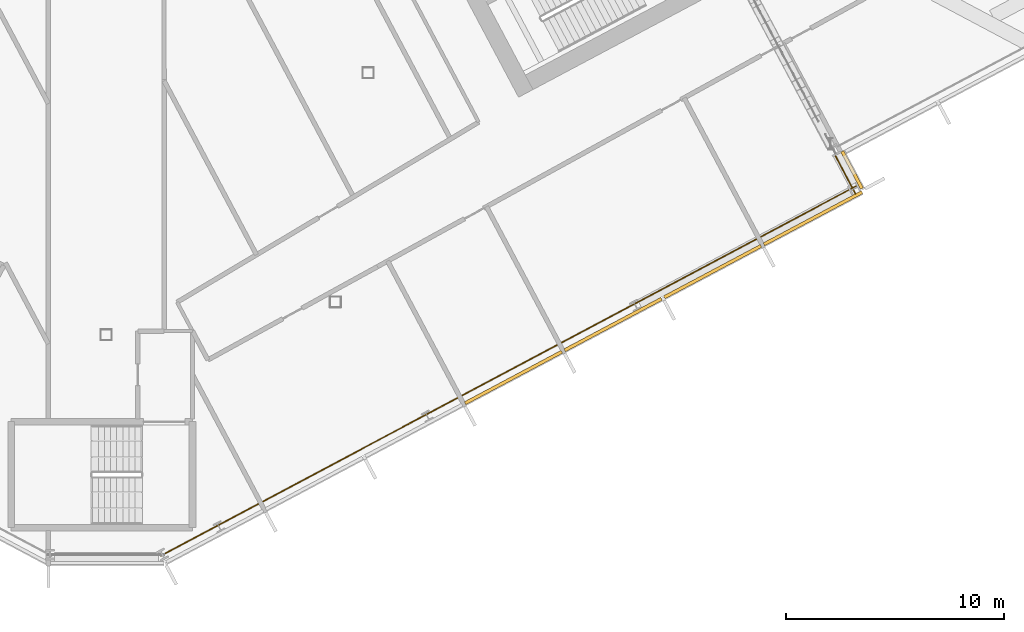
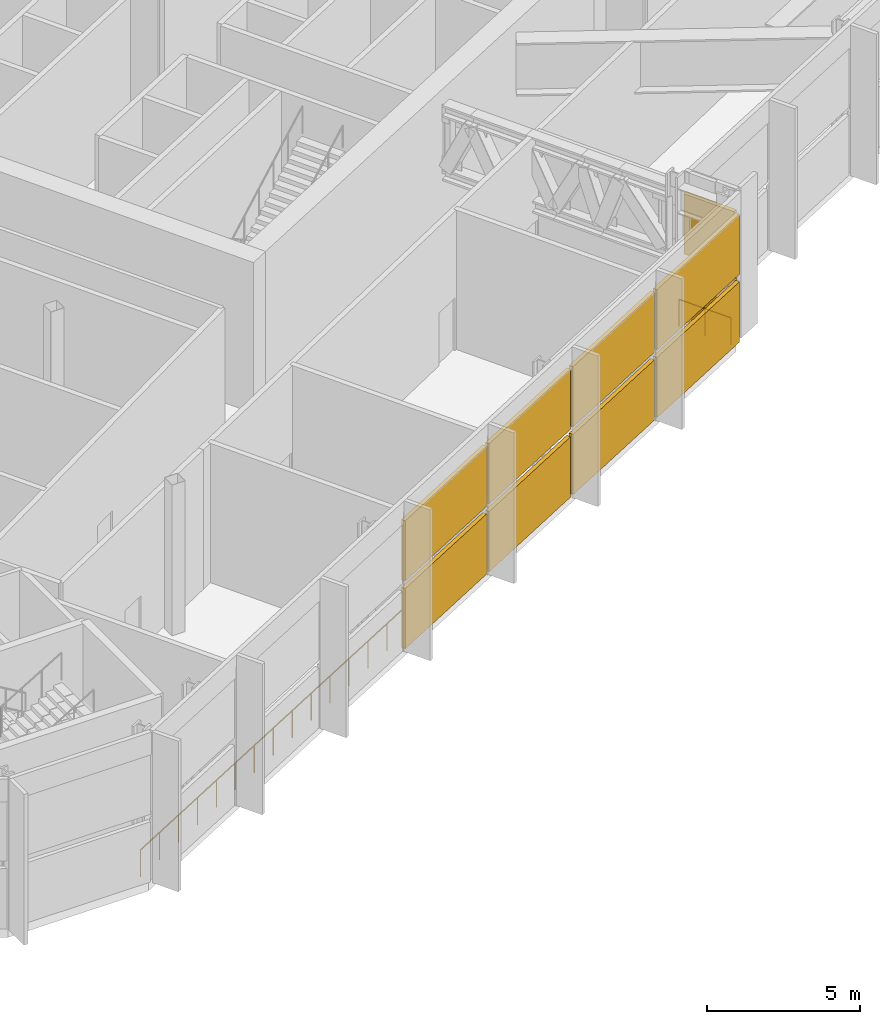
# One storey, part 28 of 33: 10 shading devices, 2 railings, 2 elements without a shape of their own.
"""IFC4 building model written with IfcOpenShell, lengths in metres."""

from ifc_helpers import new_model, si_unit, direction, frame, origin, origin_2d, place, context, subcontext, project, spatial, polyline, rectangle, outline, extrude, material, layer, layer_set, type_object, element, aggregate, save


model = new_model("IFC4")

# Units and contexts
model_context = context("Model", 3, precision=1e-05, world=origin(), true_north=direction((0.0, 1.0)))
body_context = subcontext(model_context, "Body", "Model", "MODEL_VIEW")
ifc_project = project(units=[si_unit("LENGTHUNIT", "METRE"), si_unit("AREAUNIT", "SQUARE_METRE"), si_unit("VOLUMEUNIT", "CUBIC_METRE"), si_unit("PLANEANGLEUNIT", "RADIAN"), si_unit("MASSUNIT", "GRAM", prefix="KILO")], contexts=[model_context])

# Site, building, storey
site_placement = place(None, origin())
site = spatial("IfcSite", under=ifc_project, at=site_placement, CompositionType="ELEMENT")
building_placement = place(site_placement, origin())
building = spatial("IfcBuilding", under=site, at=building_placement, Name="Cormorant Relay Tower", CompositionType="ELEMENT")
storey_placement = place(building_placement, frame((0.0, 0.0, 183.60009765625)))
storey = spatial("IfcBuildingStorey", under=building, at=storey_placement, Name="L39", CompositionType="ELEMENT", Elevation=183.60009765625)

# Railings
ifc_material_1 = material(Name="Stainless steel 316 guard", Category="steel")
railing_type = type_object("IfcRailingType", Name="Band louvre guard 1100", PredefinedType="GUARDRAIL", material=ifc_material_1)
railing_1_placement = place(storey_placement, frame((2.508056640625, -22.110595703125, 0.0)))
element("IfcRailing", 1, at=railing_1_placement, inside=storey, type_object=railing_type, Name="CW4 guard 2", PredefinedType="GUARDRAIL", context=body_context, shape_type="SweptSolid", body=[
    extrude(outline(polyline([(0.022216796875, 0.00927734375), (0.00927734375, 0.022216796875), (-0.00927734375, 0.022216796875), (-0.022216796875, 0.00927734375), (-0.022216796875, -0.00927734375), (-0.00927734375, -0.022216796875), (0.00927734375, -0.022216796875), (0.022216796875, -0.00927734375), (0.022216796875, 0.00927734375)])), frame((0.0, 0.0, 1.076171875), z_axis=(0.882948899141, 0.469469106018, 0.0), x_axis=(-0.469469106018, 0.882948899141, 0.0)), (0.0, 0.0, 1.0), 36.165771484375),
    extrude(outline(polyline([(0.019287109375, 0.008056640625), (0.008056640625, 0.019287109375), (-0.008056640625, 0.019287109375), (-0.019287109375, 0.008056640625), (-0.019287109375, -0.008056640625), (-0.008056640625, -0.019287109375), (0.008056640625, -0.019287109375), (0.019287109375, -0.008056640625), (0.019287109375, 0.008056640625)])), origin(), (0.0, 0.0, 1.0), 1.052001953125),
    extrude(outline(polyline([(0.019287109375, 0.008056640625), (0.008056640625, 0.019287109375), (-0.008056640625, 0.019287109375), (-0.019287109375, 0.008056640625), (-0.019287109375, -0.008056640625), (-0.008056640625, -0.019287109375), (0.008056640625, -0.019287109375), (0.019287109375, -0.008056640625), (0.019287109375, 0.008056640625)])), frame((1.030029296875, 0.547607421875, 0.0)), (0.0, 0.0, 1.0), 1.052001953125),
    extrude(outline(polyline([(0.019287109375, 0.008056640625), (0.008056640625, 0.019287109375), (-0.008056640625, 0.019287109375), (-0.019287109375, 0.008056640625), (-0.019287109375, -0.008056640625), (-0.008056640625, -0.019287109375), (0.008056640625, -0.019287109375), (0.019287109375, -0.008056640625), (0.019287109375, 0.008056640625)])), frame((2.06005859375, 1.095458984375, 0.0)), (0.0, 0.0, 1.0), 1.052001953125),
    extrude(outline(polyline([(0.019287109375, 0.008056640625), (0.008056640625, 0.019287109375), (-0.008056640625, 0.019287109375), (-0.019287109375, 0.008056640625), (-0.019287109375, -0.008056640625), (-0.008056640625, -0.019287109375), (0.008056640625, -0.019287109375), (0.019287109375, -0.008056640625), (0.019287109375, 0.008056640625)])), frame((3.09033203125, 1.64306640625, 0.0)), (0.0, 0.0, 1.0), 1.052001953125),
    extrude(outline(polyline([(0.019287109375, 0.008056640625), (0.008056640625, 0.019287109375), (-0.008056640625, 0.019287109375), (-0.019287109375, 0.008056640625), (-0.019287109375, -0.008056640625), (-0.008056640625, -0.019287109375), (0.008056640625, -0.019287109375), (0.019287109375, -0.008056640625), (0.019287109375, 0.008056640625)])), frame((4.120361328125, 2.19091796875, 0.0)), (0.0, 0.0, 1.0), 1.052001953125),
    extrude(outline(polyline([(0.019287109375, 0.008056640625), (0.008056640625, 0.019287109375), (-0.008056640625, 0.019287109375), (-0.019287109375, 0.008056640625), (-0.019287109375, -0.008056640625), (-0.008056640625, -0.019287109375), (0.008056640625, -0.019287109375), (0.019287109375, -0.008056640625), (0.019287109375, 0.008056640625)])), frame((5.150390625, 2.738525390625, 0.0)), (0.0, 0.0, 1.0), 1.052001953125),
    extrude(outline(polyline([(0.019287109375, 0.008056640625), (0.008056640625, 0.019287109375), (-0.008056640625, 0.019287109375), (-0.019287109375, 0.008056640625), (-0.019287109375, -0.008056640625), (-0.008056640625, -0.019287109375), (0.008056640625, -0.019287109375), (0.019287109375, -0.008056640625), (0.019287109375, 0.008056640625)])), frame((6.180419921875, 3.2861328125, 0.0)), (0.0, 0.0, 1.0), 1.052001953125),
    extrude(outline(polyline([(0.019287109375, 0.008056640625), (0.008056640625, 0.019287109375), (-0.008056640625, 0.019287109375), (-0.019287109375, 0.008056640625), (-0.019287109375, -0.008056640625), (-0.008056640625, -0.019287109375), (0.008056640625, -0.019287109375), (0.019287109375, -0.008056640625), (0.019287109375, 0.008056640625)])), frame((7.210693359375, 3.833984375, 0.0)), (0.0, 0.0, 1.0), 1.052001953125),
    extrude(outline(polyline([(0.019287109375, 0.008056640625), (0.008056640625, 0.019287109375), (-0.008056640625, 0.019287109375), (-0.019287109375, 0.008056640625), (-0.019287109375, -0.008056640625), (-0.008056640625, -0.019287109375), (0.008056640625, -0.019287109375), (0.019287109375, -0.008056640625), (0.019287109375, 0.008056640625)])), frame((8.24072265625, 4.381591796875, 0.0)), (0.0, 0.0, 1.0), 1.052001953125),
    extrude(outline(polyline([(0.019287109375, 0.008056640625), (0.008056640625, 0.019287109375), (-0.008056640625, 0.019287109375), (-0.019287109375, 0.008056640625), (-0.019287109375, -0.008056640625), (-0.008056640625, -0.019287109375), (0.008056640625, -0.019287109375), (0.019287109375, -0.008056640625), (0.019287109375, 0.008056640625)])), frame((9.270751953125, 4.92919921875, 0.0)), (0.0, 0.0, 1.0), 1.052001953125),
    extrude(outline(polyline([(0.019287109375, 0.008056640625), (0.008056640625, 0.019287109375), (-0.008056640625, 0.019287109375), (-0.019287109375, 0.008056640625), (-0.019287109375, -0.008056640625), (-0.008056640625, -0.019287109375), (0.008056640625, -0.019287109375), (0.019287109375, -0.008056640625), (0.019287109375, 0.008056640625)])), frame((10.30078125, 5.47705078125, 0.0)), (0.0, 0.0, 1.0), 1.052001953125),
    extrude(outline(polyline([(0.019287109375, 0.008056640625), (0.008056640625, 0.019287109375), (-0.008056640625, 0.019287109375), (-0.019287109375, 0.008056640625), (-0.019287109375, -0.008056640625), (-0.008056640625, -0.019287109375), (0.008056640625, -0.019287109375), (0.019287109375, -0.008056640625), (0.019287109375, 0.008056640625)])), frame((11.330810546875, 6.024658203125, 0.0)), (0.0, 0.0, 1.0), 1.052001953125),
    extrude(outline(polyline([(0.019287109375, 0.008056640625), (0.008056640625, 0.019287109375), (-0.008056640625, 0.019287109375), (-0.019287109375, 0.008056640625), (-0.019287109375, -0.008056640625), (-0.008056640625, -0.019287109375), (0.008056640625, -0.019287109375), (0.019287109375, -0.008056640625), (0.019287109375, 0.008056640625)])), frame((12.361083984375, 6.572509765625, 0.0)), (0.0, 0.0, 1.0), 1.052001953125),
    extrude(outline(polyline([(0.019287109375, 0.008056640625), (0.008056640625, 0.019287109375), (-0.008056640625, 0.019287109375), (-0.019287109375, 0.008056640625), (-0.019287109375, -0.008056640625), (-0.008056640625, -0.019287109375), (0.008056640625, -0.019287109375), (0.019287109375, -0.008056640625), (0.019287109375, 0.008056640625)])), frame((13.39111328125, 7.1201171875, 0.0)), (0.0, 0.0, 1.0), 1.052001953125),
    extrude(outline(polyline([(0.019287109375, 0.008056640625), (0.008056640625, 0.019287109375), (-0.008056640625, 0.019287109375), (-0.019287109375, 0.008056640625), (-0.019287109375, -0.008056640625), (-0.008056640625, -0.019287109375), (0.008056640625, -0.019287109375), (0.019287109375, -0.008056640625), (0.019287109375, 0.008056640625)])), frame((14.421142578125, 7.667724609375, 0.0)), (0.0, 0.0, 1.0), 1.052001953125),
    extrude(outline(polyline([(0.019287109375, 0.008056640625), (0.008056640625, 0.019287109375), (-0.008056640625, 0.019287109375), (-0.019287109375, 0.008056640625), (-0.019287109375, -0.008056640625), (-0.008056640625, -0.019287109375), (0.008056640625, -0.019287109375), (0.019287109375, -0.008056640625), (0.019287109375, 0.008056640625)])), frame((15.451171875, 8.215576171875, 0.0)), (0.0, 0.0, 1.0), 1.052001953125),
    extrude(outline(polyline([(0.019287109375, 0.008056640625), (0.008056640625, 0.019287109375), (-0.008056640625, 0.019287109375), (-0.019287109375, 0.008056640625), (-0.019287109375, -0.008056640625), (-0.008056640625, -0.019287109375), (0.008056640625, -0.019287109375), (0.019287109375, -0.008056640625), (0.019287109375, 0.008056640625)])), frame((16.4814453125, 8.76318359375, 0.0)), (0.0, 0.0, 1.0), 1.052001953125),
    extrude(outline(polyline([(0.019287109375, 0.008056640625), (0.008056640625, 0.019287109375), (-0.008056640625, 0.019287109375), (-0.019287109375, 0.008056640625), (-0.019287109375, -0.008056640625), (-0.008056640625, -0.019287109375), (0.008056640625, -0.019287109375), (0.019287109375, -0.008056640625), (0.019287109375, 0.008056640625)])), frame((17.511474609375, 9.31103515625, 0.0)), (0.0, 0.0, 1.0), 1.052001953125),
    extrude(outline(polyline([(0.019287109375, 0.008056640625), (0.008056640625, 0.019287109375), (-0.008056640625, 0.019287109375), (-0.019287109375, 0.008056640625), (-0.019287109375, -0.008056640625), (-0.008056640625, -0.019287109375), (0.008056640625, -0.019287109375), (0.019287109375, -0.008056640625), (0.019287109375, 0.008056640625)])), frame((18.54150390625, 9.858642578125, 0.0)), (0.0, 0.0, 1.0), 1.052001953125),
    extrude(outline(polyline([(0.019287109375, 0.008056640625), (0.008056640625, 0.019287109375), (-0.008056640625, 0.019287109375), (-0.019287109375, 0.008056640625), (-0.019287109375, -0.008056640625), (-0.008056640625, -0.019287109375), (0.008056640625, -0.019287109375), (0.019287109375, -0.008056640625), (0.019287109375, 0.008056640625)])), frame((19.571533203125, 10.40625, 0.0)), (0.0, 0.0, 1.0), 1.052001953125),
    extrude(outline(polyline([(0.019287109375, 0.008056640625), (0.008056640625, 0.019287109375), (-0.008056640625, 0.019287109375), (-0.019287109375, 0.008056640625), (-0.019287109375, -0.008056640625), (-0.008056640625, -0.019287109375), (0.008056640625, -0.019287109375), (0.019287109375, -0.008056640625), (0.019287109375, 0.008056640625)])), frame((20.601806640625, 10.9541015625, 0.0)), (0.0, 0.0, 1.0), 1.052001953125),
    extrude(outline(polyline([(0.019287109375, 0.008056640625), (0.008056640625, 0.019287109375), (-0.008056640625, 0.019287109375), (-0.019287109375, 0.008056640625), (-0.019287109375, -0.008056640625), (-0.008056640625, -0.019287109375), (0.008056640625, -0.019287109375), (0.019287109375, -0.008056640625), (0.019287109375, 0.008056640625)])), frame((21.6318359375, 11.501708984375, 0.0)), (0.0, 0.0, 1.0), 1.052001953125),
    extrude(outline(polyline([(0.019287109375, 0.008056640625), (0.008056640625, 0.019287109375), (-0.008056640625, 0.019287109375), (-0.019287109375, 0.008056640625), (-0.019287109375, -0.008056640625), (-0.008056640625, -0.019287109375), (0.008056640625, -0.019287109375), (0.019287109375, -0.008056640625), (0.019287109375, 0.008056640625)])), frame((22.661865234375, 12.049560546875, 0.0)), (0.0, 0.0, 1.0), 1.052001953125),
    extrude(outline(polyline([(0.019287109375, 0.008056640625), (0.008056640625, 0.019287109375), (-0.008056640625, 0.019287109375), (-0.019287109375, 0.008056640625), (-0.019287109375, -0.008056640625), (-0.008056640625, -0.019287109375), (0.008056640625, -0.019287109375), (0.019287109375, -0.008056640625), (0.019287109375, 0.008056640625)])), frame((23.69189453125, 12.59716796875, 0.0)), (0.0, 0.0, 1.0), 1.052001953125),
    extrude(outline(polyline([(0.019287109375, 0.008056640625), (0.008056640625, 0.019287109375), (-0.008056640625, 0.019287109375), (-0.019287109375, 0.008056640625), (-0.019287109375, -0.008056640625), (-0.008056640625, -0.019287109375), (0.008056640625, -0.019287109375), (0.019287109375, -0.008056640625), (0.019287109375, 0.008056640625)])), frame((24.721923828125, 13.144775390625, 0.0)), (0.0, 0.0, 1.0), 1.052001953125),
    extrude(outline(polyline([(0.019287109375, 0.008056640625), (0.008056640625, 0.019287109375), (-0.008056640625, 0.019287109375), (-0.019287109375, 0.008056640625), (-0.019287109375, -0.008056640625), (-0.008056640625, -0.019287109375), (0.008056640625, -0.019287109375), (0.019287109375, -0.008056640625), (0.019287109375, 0.008056640625)])), frame((25.752197265625, 13.692626953125, 0.0)), (0.0, 0.0, 1.0), 1.052001953125),
    extrude(outline(polyline([(0.019287109375, 0.008056640625), (0.008056640625, 0.019287109375), (-0.008056640625, 0.019287109375), (-0.019287109375, 0.008056640625), (-0.019287109375, -0.008056640625), (-0.008056640625, -0.019287109375), (0.008056640625, -0.019287109375), (0.019287109375, -0.008056640625), (0.019287109375, 0.008056640625)])), frame((26.7822265625, 14.240234375, 0.0)), (0.0, 0.0, 1.0), 1.052001953125),
    extrude(outline(polyline([(0.019287109375, 0.008056640625), (0.008056640625, 0.019287109375), (-0.008056640625, 0.019287109375), (-0.019287109375, 0.008056640625), (-0.019287109375, -0.008056640625), (-0.008056640625, -0.019287109375), (0.008056640625, -0.019287109375), (0.019287109375, -0.008056640625), (0.019287109375, 0.008056640625)])), frame((27.812255859375, 14.787841796875, 0.0)), (0.0, 0.0, 1.0), 1.052001953125),
    extrude(outline(polyline([(0.019287109375, 0.008056640625), (0.008056640625, 0.019287109375), (-0.008056640625, 0.019287109375), (-0.019287109375, 0.008056640625), (-0.019287109375, -0.008056640625), (-0.008056640625, -0.019287109375), (0.008056640625, -0.019287109375), (0.019287109375, -0.008056640625), (0.019287109375, 0.008056640625)])), frame((28.84228515625, 15.335693359375, 0.0)), (0.0, 0.0, 1.0), 1.052001953125),
    extrude(outline(polyline([(0.019287109375, 0.008056640625), (0.008056640625, 0.019287109375), (-0.008056640625, 0.019287109375), (-0.019287109375, 0.008056640625), (-0.019287109375, -0.008056640625), (-0.008056640625, -0.019287109375), (0.008056640625, -0.019287109375), (0.019287109375, -0.008056640625), (0.019287109375, 0.008056640625)])), frame((29.87255859375, 15.88330078125, 0.0)), (0.0, 0.0, 1.0), 1.052001953125),
    extrude(outline(polyline([(0.019287109375, 0.008056640625), (0.008056640625, 0.019287109375), (-0.008056640625, 0.019287109375), (-0.019287109375, 0.008056640625), (-0.019287109375, -0.008056640625), (-0.008056640625, -0.019287109375), (0.008056640625, -0.019287109375), (0.019287109375, -0.008056640625), (0.019287109375, 0.008056640625)])), frame((30.902587890625, 16.43115234375, 0.0)), (0.0, 0.0, 1.0), 1.052001953125),
    extrude(outline(polyline([(0.019287109375, 0.008056640625), (0.008056640625, 0.019287109375), (-0.008056640625, 0.019287109375), (-0.019287109375, 0.008056640625), (-0.019287109375, -0.008056640625), (-0.008056640625, -0.019287109375), (0.008056640625, -0.019287109375), (0.019287109375, -0.008056640625), (0.019287109375, 0.008056640625)])), frame((31.9326171875, 16.978759765625, 0.0)), (0.0, 0.0, 1.0), 1.052001953125),
])
railing_2_placement = place(storey_placement, frame((34.316650390625, -5.53759765625, 0.0)))
element("IfcRailing", 2, at=railing_2_placement, inside=storey, type_object=railing_type, Name="CW4 guard 3", PredefinedType="GUARDRAIL", context=body_context, shape_type="SweptSolid", body=[
    extrude(outline(polyline([(0.022216796875, 0.00927734375), (0.00927734375, 0.022216796875), (-0.00927734375, 0.022216796875), (-0.022216796875, 0.00927734375), (-0.022216796875, -0.00927734375), (-0.00927734375, -0.022216796875), (0.00927734375, -0.022216796875), (0.022216796875, -0.00927734375), (0.022216796875, 0.00927734375)])), frame((0.0, 0.0, 1.076171875), z_axis=(-0.469434829463, 0.882967123333, 0.0), x_axis=(-0.882967123333, -0.469434829463, 0.0)), (0.0, 0.0, 1.0), 2.000244140625),
    extrude(outline(polyline([(0.019287109375, 0.008056640625), (0.008056640625, 0.019287109375), (-0.008056640625, 0.019287109375), (-0.019287109375, 0.008056640625), (-0.019287109375, -0.008056640625), (-0.008056640625, -0.019287109375), (0.008056640625, -0.019287109375), (0.019287109375, -0.008056640625), (0.019287109375, 0.008056640625)])), origin(), (0.0, 0.0, 1.0), 1.052001953125),
    extrude(outline(polyline([(0.019287109375, 0.008056640625), (0.008056640625, 0.019287109375), (-0.008056640625, 0.019287109375), (-0.019287109375, 0.008056640625), (-0.019287109375, -0.008056640625), (-0.008056640625, -0.019287109375), (0.008056640625, -0.019287109375), (0.019287109375, -0.008056640625), (0.019287109375, 0.008056640625)])), frame((-0.469482421875, 0.883056640625, 0.0)), (0.0, 0.0, 1.0), 1.052001953125),
    extrude(outline(polyline([(0.019287109375, 0.008056640625), (0.008056640625, 0.019287109375), (-0.008056640625, 0.019287109375), (-0.019287109375, 0.008056640625), (-0.019287109375, -0.008056640625), (-0.008056640625, -0.019287109375), (0.008056640625, -0.019287109375), (0.019287109375, -0.008056640625), (0.019287109375, 0.008056640625)])), frame((-0.93896484375, 1.76611328125, 0.0)), (0.0, 0.0, 1.0), 1.052001953125),
])

# Curtain wall, shading devices
ifc_material_2 = material(Name="Aluminium 6063-T6 anodised bronze", Category="aluminium")
ifc_layer = layer(ifc_material_2, 0.199951171875)
ifc_layer_set = layer_set([ifc_layer], Name="CW4 band louvre wall")
curtain_wall_type = type_object("IfcCurtainWallType", Name="CW4 band louvre wall", PredefinedType="NOTDEFINED", material=ifc_layer_set)
curtain_wall_1_placement = place(storey_placement, origin())
curtain_wall_1 = element("IfcCurtainWall", 3, at=curtain_wall_1_placement, inside=storey, type_object=curtain_wall_type, Name="CW4 curtain wall 2", PredefinedType="NOTDEFINED")
ifc_material_3 = material(Name="Aluminium 6063-T6 anodised bronze louvre", Category="aluminium")
shading_device_type = type_object("IfcShadingDeviceType", Name="CW4 bronze louvre bank 150 x 2400", PredefinedType="USERDEFINED", material=ifc_material_3)
shading_device_1_placement = place(storey_placement, frame((18.650390625, -13.952392578125, 2.699951171875), z_axis=(0.0, 0.0, 1.0), x_axis=(0.882947592859, 0.469471562786, 0.0)))
shading_device_1 = element("IfcShadingDevice", 4, at=shading_device_1_placement, type_object=shading_device_type, Name="CW4 louvre bank U2.4", ObjectType="LOUVRE", PredefinedType="USERDEFINED", context=body_context, shape_type="SweptSolid", body=[
    extrude(rectangle(XDim=5.0166015625, YDim=0.14990234375, at=origin_2d()), origin(), (0.0, 0.0, 1.0), 2.39990234375),
])
shading_device_2_placement = place(storey_placement, frame((18.650390625, -13.952392578125, 0.0), z_axis=(0.0, 0.0, 1.0), x_axis=(0.882947592859, 0.469471562786, 0.0)))
shading_device_2 = element("IfcShadingDevice", 5, at=shading_device_2_placement, type_object=shading_device_type, Name="CW4 louvre bank D2.4", ObjectType="LOUVRE", PredefinedType="USERDEFINED", context=body_context, shape_type="SweptSolid", body=[
    extrude(rectangle(XDim=5.0166015625, YDim=0.14990234375, at=origin_2d()), origin(), (0.0, 0.0, 1.0), 2.39990234375),
])
shading_device_3_placement = place(storey_placement, frame((23.212158203125, -11.52685546875, 2.699951171875), z_axis=(0.0, 0.0, 1.0), x_axis=(0.882947592859, 0.469471562786, 0.0)))
shading_device_3 = element("IfcShadingDevice", 6, at=shading_device_3_placement, type_object=shading_device_type, Name="CW4 louvre bank U2.5", ObjectType="LOUVRE", PredefinedType="USERDEFINED", context=body_context, shape_type="SweptSolid", body=[
    extrude(rectangle(XDim=5.0166015625, YDim=0.14990234375, at=origin_2d()), origin(), (0.0, 0.0, 1.0), 2.39990234375),
])
shading_device_4_placement = place(storey_placement, frame((23.212158203125, -11.52685546875, 0.0), z_axis=(0.0, 0.0, 1.0), x_axis=(0.882947592859, 0.469471562786, 0.0)))
shading_device_4 = element("IfcShadingDevice", 7, at=shading_device_4_placement, type_object=shading_device_type, Name="CW4 louvre bank D2.5", ObjectType="LOUVRE", PredefinedType="USERDEFINED", context=body_context, shape_type="SweptSolid", body=[
    extrude(rectangle(XDim=5.0166015625, YDim=0.14990234375, at=origin_2d()), origin(), (0.0, 0.0, 1.0), 2.39990234375),
])
shading_device_5_placement = place(storey_placement, frame((27.77392578125, -9.101318359375, 2.699951171875), z_axis=(0.0, 0.0, 1.0), x_axis=(0.882947592859, 0.469471562786, 0.0)))
shading_device_5 = element("IfcShadingDevice", 8, at=shading_device_5_placement, type_object=shading_device_type, Name="CW4 louvre bank U2.6", ObjectType="LOUVRE", PredefinedType="USERDEFINED", context=body_context, shape_type="SweptSolid", body=[
    extrude(rectangle(XDim=5.0166015625, YDim=0.14990234375, at=origin_2d()), origin(), (0.0, 0.0, 1.0), 2.39990234375),
])
shading_device_6_placement = place(storey_placement, frame((27.77392578125, -9.101318359375, 0.0), z_axis=(0.0, 0.0, 1.0), x_axis=(0.882947592859, 0.469471562786, 0.0)))
shading_device_6 = element("IfcShadingDevice", 9, at=shading_device_6_placement, type_object=shading_device_type, Name="CW4 louvre bank D2.6", ObjectType="LOUVRE", PredefinedType="USERDEFINED", context=body_context, shape_type="SweptSolid", body=[
    extrude(rectangle(XDim=5.0166015625, YDim=0.14990234375, at=origin_2d()), origin(), (0.0, 0.0, 1.0), 2.39990234375),
])
shading_device_7_placement = place(storey_placement, frame((32.368896484375, -6.658203125, 2.699951171875), z_axis=(0.0, 0.0, 1.0), x_axis=(0.882947592859, 0.469471562786, 0.0)))
shading_device_7 = element("IfcShadingDevice", 10, at=shading_device_7_placement, type_object=shading_device_type, Name="CW4 louvre bank U2.7", ObjectType="LOUVRE", PredefinedType="USERDEFINED", context=body_context, shape_type="SweptSolid", body=[
    extrude(rectangle(XDim=5.091552734375, YDim=0.14990234375, at=origin_2d()), origin(), (0.0, 0.0, 1.0), 2.39990234375),
])
shading_device_8_placement = place(storey_placement, frame((32.368896484375, -6.658203125, 0.0), z_axis=(0.0, 0.0, 1.0), x_axis=(0.882947592859, 0.469471562786, 0.0)))
shading_device_8 = element("IfcShadingDevice", 11, at=shading_device_8_placement, type_object=shading_device_type, Name="CW4 louvre bank D2.7", ObjectType="LOUVRE", PredefinedType="USERDEFINED", context=body_context, shape_type="SweptSolid", body=[
    extrude(rectangle(XDim=5.091552734375, YDim=0.14990234375, at=origin_2d()), origin(), (0.0, 0.0, 1.0), 2.39990234375),
])
aggregate(curtain_wall_1, [shading_device_1, shading_device_2, shading_device_3, shading_device_4, shading_device_5, shading_device_6, shading_device_7, shading_device_8])

curtain_wall_2_placement = place(storey_placement, origin())
curtain_wall_2 = element("IfcCurtainWall", 12, at=curtain_wall_2_placement, inside=storey, type_object=curtain_wall_type, Name="CW4 curtain wall 3", PredefinedType="NOTDEFINED")
shading_device_9_placement = place(storey_placement, frame((34.16064453125, -4.4453125, 2.699951171875), z_axis=(0.0, 0.0, 1.0), x_axis=(-0.469471562786, 0.882947592859, 0.0)))
shading_device_9 = element("IfcShadingDevice", 13, at=shading_device_9_placement, type_object=shading_device_type, Name="CW4 louvre bank U3.1", ObjectType="LOUVRE", PredefinedType="USERDEFINED", context=body_context, shape_type="SweptSolid", body=[
    extrude(rectangle(XDim=1.925048828125, YDim=0.14990234375, at=origin_2d()), origin(), (0.0, 0.0, 1.0), 2.39990234375),
])
shading_device_10_placement = place(storey_placement, frame((34.16064453125, -4.4453125, 0.0), z_axis=(0.0, 0.0, 1.0), x_axis=(-0.469471562786, 0.882947592859, 0.0)))
shading_device_10 = element("IfcShadingDevice", 14, at=shading_device_10_placement, type_object=shading_device_type, Name="CW4 louvre bank D3.1", ObjectType="LOUVRE", PredefinedType="USERDEFINED", context=body_context, shape_type="SweptSolid", body=[
    extrude(rectangle(XDim=1.925048828125, YDim=0.14990234375, at=origin_2d()), origin(), (0.0, 0.0, 1.0), 2.39990234375),
])
aggregate(curtain_wall_2, [shading_device_9, shading_device_10])

save(model, "model.ifc")
